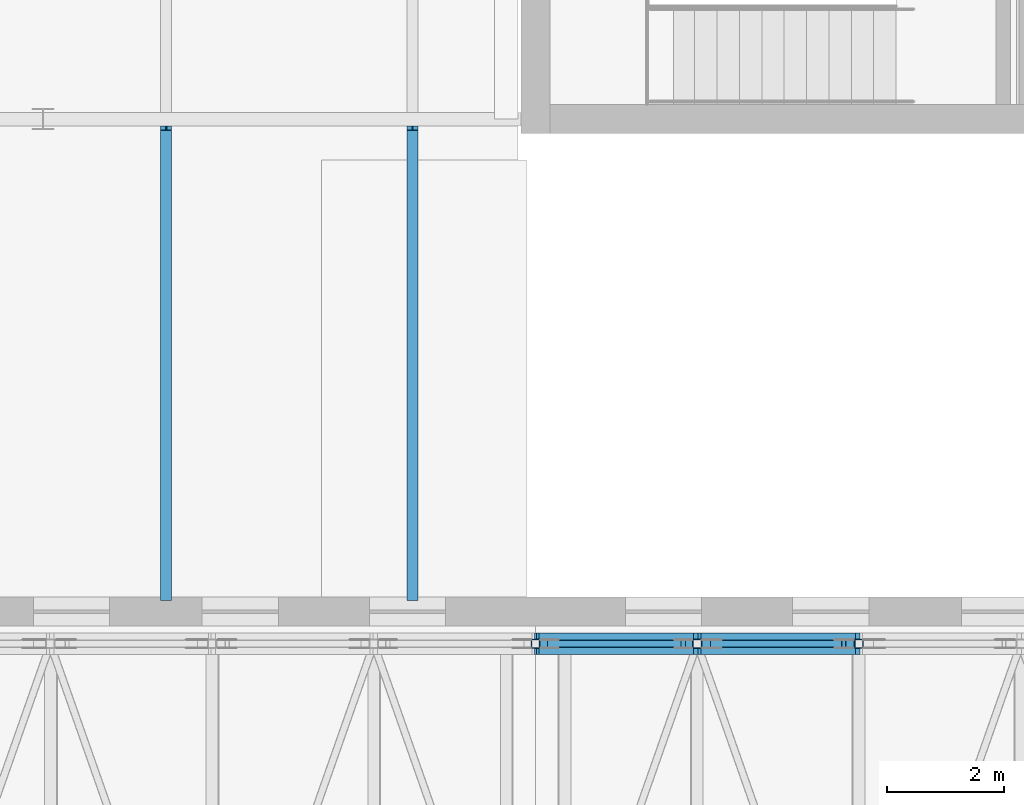
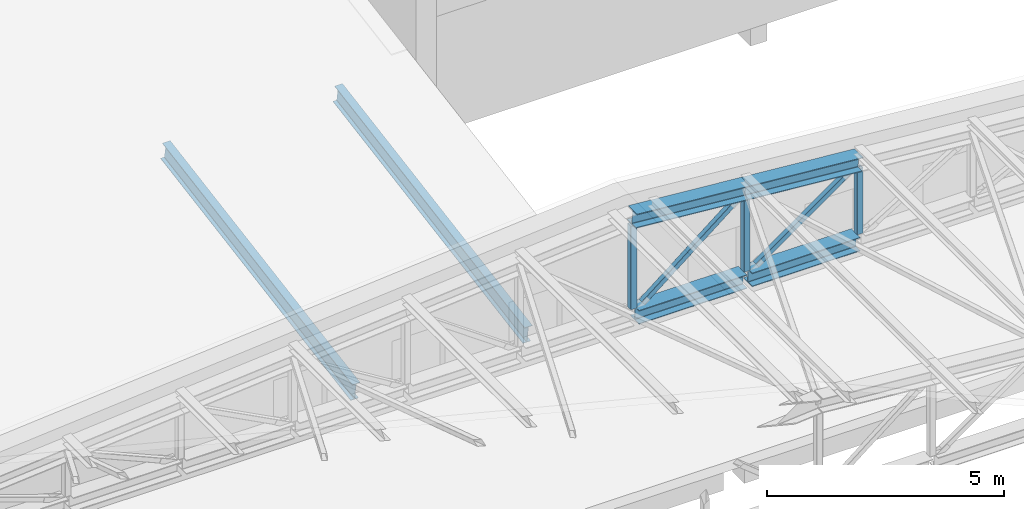
# One storey, part 19 of 60: 9 members, 2 beams.
"""IFC4 building model written with IfcOpenShell, lengths in metres."""

from ifc_helpers import new_model, si_unit, direction, frame, origin, origin_2d, place, context, subcontext, project, spatial, hollow_rectangle, i_section, extrude, material, material_profile, profile_set, type_object, element, save


model = new_model("IFC4")

# Units and contexts
model_context = context("Model", 3, precision=1e-05, world=origin(), true_north=direction((0.0, 1.0)))
body_context = subcontext(model_context, "Body", "Model", "MODEL_VIEW")
ifc_project = project(units=[si_unit("LENGTHUNIT", "METRE"), si_unit("AREAUNIT", "SQUARE_METRE"), si_unit("VOLUMEUNIT", "CUBIC_METRE"), si_unit("PLANEANGLEUNIT", "RADIAN"), si_unit("MASSUNIT", "GRAM", prefix="KILO")], contexts=[model_context])

# Site, building, storey
site_placement = place(None, origin())
site = spatial("IfcSite", under=ifc_project, at=site_placement, CompositionType="ELEMENT")
building_placement = place(site_placement, origin())
building = spatial("IfcBuilding", under=site, at=building_placement, Name="Ljudholm Concert House", CompositionType="ELEMENT")
storey_placement = place(building_placement, frame((0.0, 0.0, 15.0)))
storey = spatial("IfcBuildingStorey", under=building, at=storey_placement, Name="L03", CompositionType="ELEMENT", Elevation=15.0)

# Beams
ifc_material_1 = material(Name="Steel ASTM A992", Category="steel")
ifc_material_profile_1 = material_profile(ifc_material_1, i_section(OverallWidth=0.1904296875, OverallDepth=0.457275390625, WebThickness=0.009033203125, FlangeThickness=0.014404296875, FilletRadius=0.01025390625, at=origin_2d()), Name="W18X50")
ifc_profile_set_1 = profile_set([ifc_material_profile_1], Name="Steel ASTM A992")
beam_type = type_object("IfcBeamType", Name="STEEL BEAM W18X50", PredefinedType="BEAM", material=ifc_profile_set_1)
for number, where, z_axis, x_axis, name in (
    (1, (22.89990234375, 46.22509765625, 0.43701171875), (0.0, 0.985736789658, 0.168294330016), (-1.0, 0.0, 0.0), "Roof rafter"),
    (2, (27.10009765625, 46.22509765625, 0.43701171875), (0.0, 0.985736789658, 0.168294330016), (-1.0, 0.0, 0.0), "Roof rafter"),
):
    element("IfcBeam", number, at=place(storey_placement, frame(where, z_axis=z_axis, x_axis=x_axis)), inside=storey, type_object=beam_type, Name=name, PredefinedType="BEAM", context=body_context, shape_type="SweptSolid", body=[
        extrude(i_section(OverallWidth=0.1904296875, OverallDepth=0.457275390625, WebThickness=0.009033203125, FlangeThickness=0.014404296875, FilletRadius=0.01025390625, at=origin_2d()), origin(), (0.0, 0.0, 1.0), 8.13818359375),
    ])

# Members
ifc_material_2 = material(Name="Steel ASTM A500 Gr. C", Category="steel")
ifc_material_profile_2 = material_profile(ifc_material_2, hollow_rectangle(XDim=0.126953125, YDim=0.126953125, WallThickness=0.00732421875, InnerFilletRadius=0.003662109375, OuterFilletRadius=0.010986328125, at=origin_2d()), Name="HSS5X5X5/16")
ifc_profile_set_2 = profile_set([ifc_material_profile_2], Name="Steel ASTM A500 Gr. C")
member_type_1 = type_object("IfcMemberType", Name="STEEL MEMBER HSS5X5X5/16 BRACE", PredefinedType="BRACE", material=ifc_profile_set_2)
member_1_placement = place(storey_placement, frame((29.439697265625, 45.449951171875, 0.92724609375), z_axis=(0.780338427861, 0.0, 0.625357448187), x_axis=(0.0, 1.0, 0.0)))
element("IfcMember", 3, at=member_1_placement, inside=storey, type_object=member_type_1, Name="Roof truss T6 diagonal", PredefinedType="BRACE", context=body_context, shape_type="SweptSolid", body=[
    extrude(hollow_rectangle(XDim=0.126953125, YDim=0.126953125, WallThickness=0.00732421875, InnerFilletRadius=0.003662109375, OuterFilletRadius=0.010986328125, at=origin_2d()), origin(), (0.0, 0.0, 1.0), 2.920654296875),
])
member_2_placement = place(storey_placement, frame((32.21728515625, 45.449951171875, 0.9296875), z_axis=(0.815662734234, 0.0, 0.57852770373), x_axis=(0.0, 1.0, 0.0)))
element("IfcMember", 4, at=member_2_placement, inside=storey, type_object=member_type_1, Name="Roof truss T6 diagonal", PredefinedType="BRACE", context=body_context, shape_type="SweptSolid", body=[
    extrude(hollow_rectangle(XDim=0.126953125, YDim=0.126953125, WallThickness=0.00732421875, InnerFilletRadius=0.003662109375, OuterFilletRadius=0.010986328125, at=origin_2d()), origin(), (0.0, 0.0, 1.0), 2.746826171875),
])
ifc_material_3 = material(Name="Steel ASTM A500 Gr. C", Category="steel")
ifc_material_profile_3 = material_profile(ifc_material_3, hollow_rectangle(XDim=0.15234375, YDim=0.15234375, WallThickness=0.0087890625, InnerFilletRadius=0.00439453125, OuterFilletRadius=0.01318359375, at=origin_2d()), Name="HSS6X6X3/8")
ifc_profile_set_3 = profile_set([ifc_material_profile_3], Name="Steel ASTM A500 Gr. C")
member_type_2 = type_object("IfcMemberType", Name="STEEL MEMBER HSS6X6X3/8 POST", PredefinedType="POST", material=ifc_profile_set_3)
member_3_placement = place(storey_placement, frame((29.199951171875, 45.449951171875, 0.877685546875), z_axis=(0.0, 0.0, 1.0), x_axis=(1.0, 0.0, 0.0)))
element("IfcMember", 5, at=member_3_placement, inside=storey, type_object=member_type_2, Name="Roof truss T6 post", PredefinedType="POST", context=body_context, shape_type="SweptSolid", body=[
    extrude(hollow_rectangle(XDim=0.15234375, YDim=0.15234375, WallThickness=0.0087890625, InnerFilletRadius=0.00439453125, OuterFilletRadius=0.01318359375, at=origin_2d()), origin(), (0.0, 0.0, 1.0), 2.143798828125),
])
member_4_placement = place(storey_placement, frame((31.958251953125, 45.449951171875, 0.877685546875), z_axis=(0.0, 0.0, 1.0), x_axis=(1.0, 0.0, 0.0)))
element("IfcMember", 6, at=member_4_placement, inside=storey, type_object=member_type_2, Name="Roof truss T6 post", PredefinedType="POST", context=body_context, shape_type="SweptSolid", body=[
    extrude(hollow_rectangle(XDim=0.15234375, YDim=0.15234375, WallThickness=0.0087890625, InnerFilletRadius=0.00439453125, OuterFilletRadius=0.01318359375, at=origin_2d()), origin(), (0.0, 0.0, 1.0), 1.91064453125),
])
member_5_placement = place(storey_placement, frame((34.716552734375, 45.449951171875, 0.877685546875), z_axis=(0.0, 0.0, 1.0), x_axis=(1.0, 0.0, 0.0)))
element("IfcMember", 7, at=member_5_placement, inside=storey, type_object=member_type_2, Name="Roof truss T6 post", PredefinedType="POST", context=body_context, shape_type="SweptSolid", body=[
    extrude(hollow_rectangle(XDim=0.15234375, YDim=0.15234375, WallThickness=0.0087890625, InnerFilletRadius=0.00439453125, OuterFilletRadius=0.01318359375, at=origin_2d()), origin(), (0.0, 0.0, 1.0), 1.67724609375),
])
ifc_material_4 = material(Name="Steel ASTM A992", Category="steel")
ifc_material_profile_4 = material_profile(ifc_material_4, i_section(OverallWidth=0.368408203125, OverallDepth=0.355712890625, WebThickness=0.01123046875, FlangeThickness=0.01806640625, FilletRadius=0.01513671875, at=origin_2d()), Name="W14X90")
ifc_profile_set_4 = profile_set([ifc_material_profile_4], Name="Steel ASTM A992")
member_type_3 = type_object("IfcMemberType", Name="STEEL MEMBER W14X90 CHORD", PredefinedType="CHORD", material=ifc_profile_set_4)
member_6_placement = place(storey_placement, frame((29.199951171875, 45.449951171875, 3.199951171875), z_axis=(0.996439113695, 0.0, -0.084315435714), x_axis=(0.0, 1.0, 0.0)))
element("IfcMember", 8, at=member_6_placement, inside=storey, type_object=member_type_3, Name="Roof truss T6 top chord", PredefinedType="CHORD", context=body_context, shape_type="SweptSolid", body=[
    extrude(i_section(OverallWidth=0.368408203125, OverallDepth=0.355712890625, WebThickness=0.01123046875, FlangeThickness=0.01806640625, FilletRadius=0.01513671875, at=origin_2d()), origin(), (0.0, 0.0, 1.0), 2.76806640625),
])
member_7_placement = place(storey_placement, frame((29.261962890625, 45.449951171875, 0.699951171875), z_axis=(1.0, 0.0, 0.0), x_axis=(0.0, 1.0, 0.0)))
element("IfcMember", 9, at=member_7_placement, inside=storey, type_object=member_type_3, Name="Roof truss T6 bottom chord", PredefinedType="CHORD", context=body_context, shape_type="SweptSolid", body=[
    extrude(i_section(OverallWidth=0.368408203125, OverallDepth=0.355712890625, WebThickness=0.01123046875, FlangeThickness=0.01806640625, FilletRadius=0.01513671875, at=origin_2d()), origin(), (0.0, 0.0, 1.0), 2.63427734375),
])
member_8_placement = place(storey_placement, frame((31.958251953125, 45.449951171875, 2.966552734375), z_axis=(0.996446519711, 0.0, -0.084227865669), x_axis=(0.0, 1.0, 0.0)))
element("IfcMember", 10, at=member_8_placement, inside=storey, type_object=member_type_3, Name="Roof truss T6 top chord", PredefinedType="CHORD", context=body_context, shape_type="SweptSolid", body=[
    extrude(i_section(OverallWidth=0.368408203125, OverallDepth=0.355712890625, WebThickness=0.01123046875, FlangeThickness=0.01806640625, FilletRadius=0.01513671875, at=origin_2d()), origin(), (0.0, 0.0, 1.0), 2.76806640625),
])
member_9_placement = place(storey_placement, frame((32.020263671875, 45.449951171875, 0.699951171875), z_axis=(1.0, 0.0, 0.0), x_axis=(0.0, 1.0, 0.0)))
element("IfcMember", 11, at=member_9_placement, inside=storey, type_object=member_type_3, Name="Roof truss T6 bottom chord", PredefinedType="CHORD", context=body_context, shape_type="SweptSolid", body=[
    extrude(i_section(OverallWidth=0.368408203125, OverallDepth=0.355712890625, WebThickness=0.01123046875, FlangeThickness=0.01806640625, FilletRadius=0.01513671875, at=origin_2d()), origin(), (0.0, 0.0, 1.0), 2.634521484375),
])

save(model, "model.ifc")
